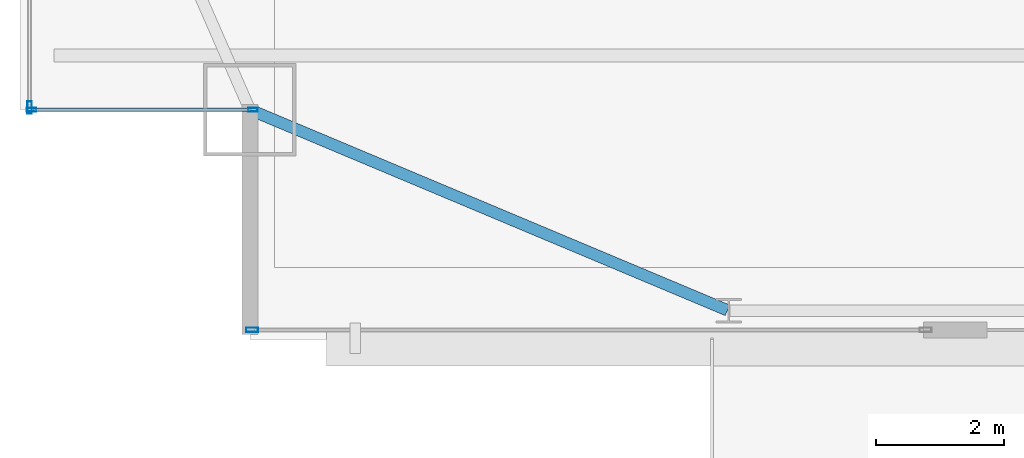
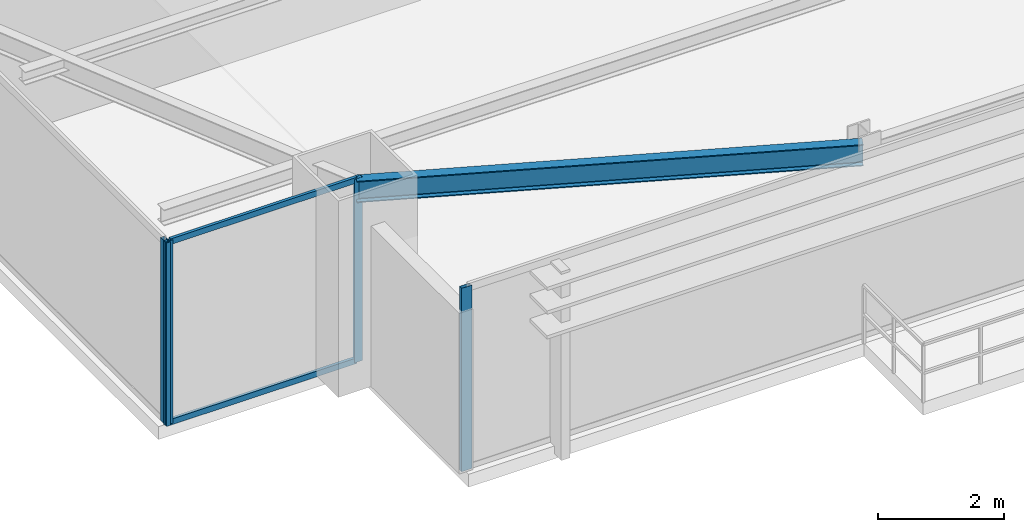
# One storey, part 3 of 38: 6 members, 1 beam, 3 elements without a shape of their own.
"""IFC4 building model written with IfcOpenShell, lengths in metres."""

from ifc_helpers import new_model, si_unit, direction, frame, origin, origin_2d, place, context, subcontext, project, spatial, hollow_rectangle, i_section, extrude, source, transform, mapped, material, layer, layer_set, material_profile, profile_set, type_object, type_shapes, element, aggregate, save


model = new_model("IFC4")

# Units and contexts
model_context = context("Model", 3, precision=1e-05, world=origin(), true_north=direction((0.0, 1.0)))
body_context = subcontext(model_context, "Body", "Model", "MODEL_VIEW")
ifc_project = project(units=[si_unit("LENGTHUNIT", "METRE"), si_unit("AREAUNIT", "SQUARE_METRE"), si_unit("VOLUMEUNIT", "CUBIC_METRE"), si_unit("PLANEANGLEUNIT", "RADIAN"), si_unit("MASSUNIT", "GRAM", prefix="KILO")], contexts=[model_context])

# Site, building, storey
site_placement = place(None, origin())
site = spatial("IfcSite", under=ifc_project, at=site_placement, CompositionType="ELEMENT")
building_placement = place(site_placement, origin())
building = spatial("IfcBuilding", under=site, at=building_placement, Name="Varnel Quay Broadcast Tower", CompositionType="ELEMENT")
storey_placement = place(building_placement, frame((0.0, 0.0, 118.199951171875)))
storey = spatial("IfcBuildingStorey", under=building, at=storey_placement, Name="L28", CompositionType="ELEMENT", Elevation=118.199951171875)

# Beam
ifc_material_1 = material(Name="Structural Steel CSA G40.21 350W", Category="steel")
ifc_material_profile_1 = material_profile(ifc_material_1, i_section(OverallWidth=0.180908203125, OverallDepth=0.4169921875, WebThickness=0.010986328125, FlangeThickness=0.018310546875, FilletRadius=0.011962890625, at=origin_2d()), Name="W410X85")
ifc_profile_set_1 = profile_set([ifc_material_profile_1], Name="Structural Steel CSA G40.21 350W")
beam_type = type_object("IfcBeamType", Name="Beam_W410X85", PredefinedType="SPANDREL", material=ifc_profile_set_1)
shared_shape_1 = source(origin(), body_context, "Body", "SweptSolid", [
    extrude(i_section(OverallWidth=0.180908203125, OverallDepth=0.4169921875, WebThickness=0.010986328125, FlangeThickness=0.018310546875, FilletRadius=0.011962890625, at=origin_2d()), origin(), (0.0, 0.0, 1.0), 8.0947265625),
])
type_shapes(beam_type, [shared_shape_1])
beam_placement = place(storey_placement, frame((8.118408203125, 7.792236328125, 3.341552734375), z_axis=(0.921981890247, -0.387232997117, 0.0), x_axis=(0.387232997117, 0.921981890247, 0.0)))
element("IfcBeam", 1, at=beam_placement, inside=storey, type_object=beam_type, Name="L28 South Spandrel MC-SW-TC-S1", PredefinedType="SPANDREL", context=body_context, shape_type="MappedRepresentation", body=[
    mapped(shared_shape_1, transform((0.0, 0.0, 0.0), x_axis=(1.0, 0.0, 0.0), y_axis=(0.0, 1.0, 0.0), z_axis=(0.0, 0.0, 1.0), scale=1.0)),
])

# Curtain wall, members
ifc_material_2 = material(Name="Anodised Bronze Aluminium 6063-T6", Category="aluminium")
ifc_layer_1 = layer(ifc_material_2, 0.18994140625, Name="Anodised Bronze Aluminium 6063-T6")
ifc_layer_set_1 = layer_set([ifc_layer_1], Name="Anodised Bronze Aluminium 6063-T6")
curtain_wall_type_1 = type_object("IfcCurtainWallType", Name="CW_NotchCorner", PredefinedType="NOTDEFINED", material=ifc_layer_set_1)
curtain_wall_1_placement = place(storey_placement, origin())
curtain_wall_1 = element("IfcCurtainWall", 2, at=curtain_wall_1_placement, inside=storey, type_object=curtain_wall_type_1, Name="L28 SW Notch Curtain Wall", PredefinedType="NOTDEFINED")
ifc_material_profile_2 = material_profile(ifc_material_2, hollow_rectangle(XDim=0.054931640625, YDim=0.110107421875, WallThickness=0.0029296875, at=origin_2d()), Name="ALU55X110X3")
ifc_profile_set_2 = profile_set([ifc_material_profile_2], Name="Anodised Bronze Aluminium 6063-T6")
member_type_1 = type_object("IfcMemberType", Name="Tran_CWS-04", PredefinedType="USERDEFINED", material=ifc_profile_set_2)
shared_shape_2 = source(origin(), body_context, "Body", "SweptSolid", [
    extrude(hollow_rectangle(XDim=0.054931640625, YDim=0.110107421875, WallThickness=0.0029296875, at=origin_2d()), origin(), (0.0, 0.0, 1.0), 3.41015625),
])
type_shapes(member_type_1, [shared_shape_2])
member_1_placement = place(storey_placement, frame((4.7099609375, 7.800048828125, 0.027587890625), z_axis=(1.0, 0.0, 0.0), x_axis=(0.0, 1.0, 0.0)))
member_1 = element("IfcMember", 3, at=member_1_placement, type_object=member_type_1, Name="CWS-04 transom 1.1", ObjectType="TRANSOM", PredefinedType="USERDEFINED", context=body_context, shape_type="MappedRepresentation", body=[
    mapped(shared_shape_2, transform((0.0, 0.0, 0.0), x_axis=(1.0, 0.0, 0.0), y_axis=(0.0, 1.0, 0.0), z_axis=(0.0, 0.0, 1.0), scale=1.0)),
])
member_2_placement = place(storey_placement, frame((4.7099609375, 7.800048828125, 3.5224609375), z_axis=(1.0, 0.0, 0.0), x_axis=(0.0, 1.0, 0.0)))
member_2 = element("IfcMember", 4, at=member_2_placement, type_object=member_type_1, Name="CWS-04 transom 1.2", ObjectType="TRANSOM", PredefinedType="USERDEFINED", context=body_context, shape_type="MappedRepresentation", body=[
    mapped(shared_shape_2, transform((0.0, 0.0, 0.0), x_axis=(1.0, 0.0, 0.0), y_axis=(0.0, 1.0, 0.0), z_axis=(0.0, 0.0, 1.0), scale=1.0)),
])

# Curtain wall, member
ifc_layer_2 = layer(ifc_material_2, 0.18994140625, Name="Anodised Bronze Aluminium 6063-T6")
ifc_layer_set_2 = layer_set([ifc_layer_2], Name="Anodised Bronze Aluminium 6063-T6")
curtain_wall_type_2 = type_object("IfcCurtainWallType", Name="CW_LowerTower", PredefinedType="NOTDEFINED", material=ifc_layer_set_2)
curtain_wall_2_placement = place(storey_placement, origin())
curtain_wall_2 = element("IfcCurtainWall", 5, at=curtain_wall_2_placement, inside=storey, type_object=curtain_wall_type_2, Name="L28 South Unitised Curtain Wall 1", PredefinedType="NOTDEFINED")
ifc_material_profile_3 = material_profile(ifc_material_2, hollow_rectangle(XDim=0.070068359375, YDim=0.18994140625, WallThickness=0.00390625, at=origin_2d()), Name="ALU70X190X4")
ifc_profile_set_3 = profile_set([ifc_material_profile_3], Name="Anodised Bronze Aluminium 6063-T6")
member_type_2 = type_object("IfcMemberType", Name="Mull_CWS-02", PredefinedType="MULLION", material=ifc_profile_set_3)
shared_shape_3 = source(origin(), body_context, "Body", "SweptSolid", [
    extrude(hollow_rectangle(XDim=0.070068359375, YDim=0.18994140625, WallThickness=0.00390625, at=origin_2d()), origin(), (0.0, 0.0, 1.0), 3.550048828125),
])
type_shapes(member_type_2, [shared_shape_3])
member_3_placement = place(storey_placement, frame((8.135009765625, 4.35009765625, 0.0), z_axis=(0.0, 0.0, 1.0), x_axis=(0.0, 1.0, 0.0)))
member_3 = element("IfcMember", 6, at=member_3_placement, type_object=member_type_2, Name="CWS-02 mullion 1", PredefinedType="MULLION", context=body_context, shape_type="MappedRepresentation", body=[
    mapped(shared_shape_3, transform((0.0, 0.0, 0.0), x_axis=(1.0, 0.0, 0.0), y_axis=(0.0, 1.0, 0.0), z_axis=(0.0, 0.0, 1.0), scale=1.0)),
])
aggregate(curtain_wall_2, [member_3])

curtain_wall_3_placement = place(storey_placement, origin())
curtain_wall_3 = element("IfcCurtainWall", 7, at=curtain_wall_3_placement, inside=storey, type_object=curtain_wall_type_2, Name="L28 West Unitised Curtain Wall", PredefinedType="NOTDEFINED")
member_4_placement = place(storey_placement, frame((4.64990234375, 7.8349609375, 0.0), z_axis=(0.0, 0.0, 1.0), x_axis=(-1.0, 0.0, 0.0)))
member_4 = element("IfcMember", 8, at=member_4_placement, type_object=member_type_2, Name="CWS-02 mullion 1", PredefinedType="MULLION", context=body_context, shape_type="MappedRepresentation", body=[
    mapped(shared_shape_3, transform((0.0, 0.0, 0.0), x_axis=(1.0, 0.0, 0.0), y_axis=(0.0, 1.0, 0.0), z_axis=(0.0, 0.0, 1.0), scale=1.0)),
])
aggregate(curtain_wall_3, [member_4])

# Member
ifc_material_profile_4 = material_profile(ifc_material_2, hollow_rectangle(XDim=0.06005859375, YDim=0.14501953125, WallThickness=0.00341796875, at=origin_2d()), Name="ALU60X145X3.5")
ifc_profile_set_4 = profile_set([ifc_material_profile_4], Name="Anodised Bronze Aluminium 6063-T6")
member_type_3 = type_object("IfcMemberType", Name="Mull_CWS-04", PredefinedType="MULLION", material=ifc_profile_set_4)
shared_shape_4 = source(origin(), body_context, "Body", "SweptSolid", [
    extrude(hollow_rectangle(XDim=0.06005859375, YDim=0.14501953125, WallThickness=0.00341796875, at=origin_2d()), origin(), (0.0, 0.0, 1.0), 3.550048828125),
])
type_shapes(member_type_3, [shared_shape_4])
member_5_placement = place(storey_placement, frame((4.679931640625, 7.800048828125, 0.0), z_axis=(0.0, 0.0, 1.0), x_axis=(0.0, 1.0, 0.0)))
member_5 = element("IfcMember", 9, at=member_5_placement, type_object=member_type_3, Name="CWS-04 mullion 1", PredefinedType="MULLION", context=body_context, shape_type="MappedRepresentation", body=[
    mapped(shared_shape_4, transform((0.0, 0.0, 0.0), x_axis=(1.0, 0.0, 0.0), y_axis=(0.0, 1.0, 0.0), z_axis=(0.0, 0.0, 1.0), scale=1.0)),
])

member_6_placement = place(storey_placement, frame((8.14990234375, 7.800048828125, 0.0), z_axis=(0.0, 0.0, 1.0), x_axis=(0.0, 1.0, 0.0)))
member_6 = element("IfcMember", 10, at=member_6_placement, type_object=member_type_3, Name="CWS-04 mullion 2", PredefinedType="MULLION", context=body_context, shape_type="MappedRepresentation", body=[
    mapped(shared_shape_4, transform((0.0, 0.0, 0.0), x_axis=(1.0, 0.0, 0.0), y_axis=(0.0, 1.0, 0.0), z_axis=(0.0, 0.0, 1.0), scale=1.0)),
])

aggregate(curtain_wall_1, [member_5, member_6, member_1, member_2])

save(model, "model.ifc")
